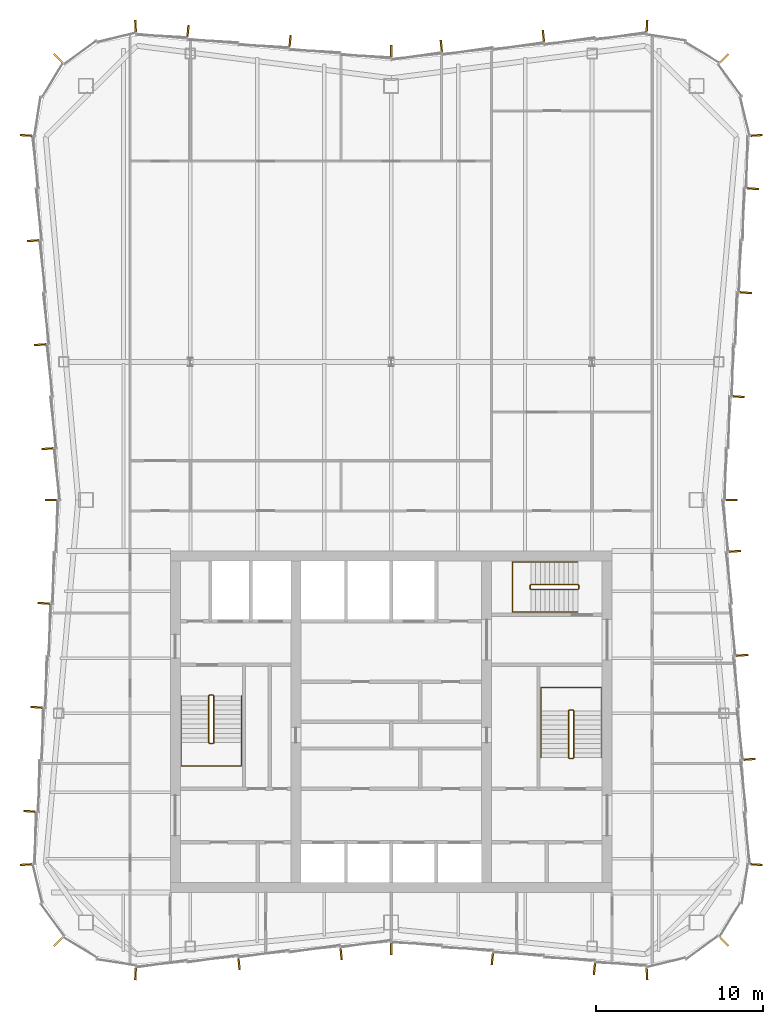
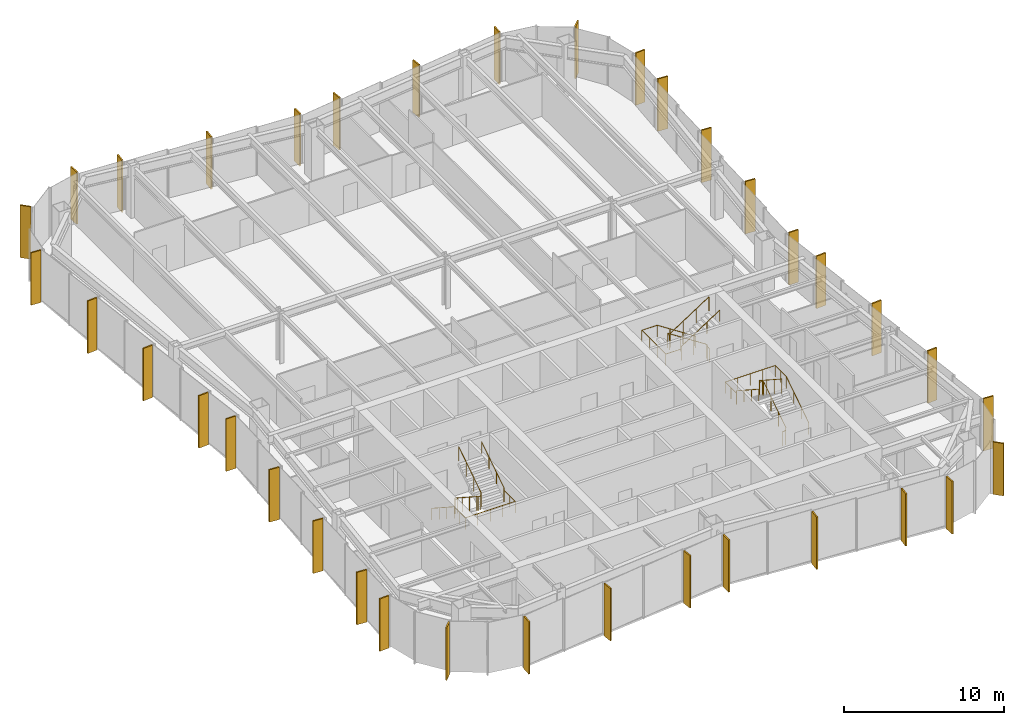
# One storey, part 13 of 13: 36 shading devices, 6 railings.
"""IFC4 building model written with IfcOpenShell, lengths in metres."""

from ifc_helpers import new_model, si_unit, direction, frame, origin, origin_2d, place, context, subcontext, project, spatial, rectangle, circle, extrude, material, layer, layer_set, type_object, element, save


model = new_model("IFC4")

# Units and contexts
model_context = context("Model", 3, precision=1e-05, world=origin(), true_north=direction((0.0, 1.0)))
body_context = subcontext(model_context, "Body", "Model", "MODEL_VIEW")
ifc_project = project(units=[si_unit("LENGTHUNIT", "METRE"), si_unit("AREAUNIT", "SQUARE_METRE"), si_unit("VOLUMEUNIT", "CUBIC_METRE"), si_unit("PLANEANGLEUNIT", "RADIAN"), si_unit("MASSUNIT", "GRAM", prefix="KILO")], contexts=[model_context])

# Site, building, storey
site_placement = place(None, origin())
site = spatial("IfcSite", under=ifc_project, at=site_placement, CompositionType="ELEMENT")
building_placement = place(site_placement, origin())
building = spatial("IfcBuilding", under=site, at=building_placement, Name="Verdant Reach Tower", CompositionType="ELEMENT")
storey_placement = place(building_placement, frame((0.0, 0.0, 330.0)))
storey = spatial("IfcBuildingStorey", under=building, at=storey_placement, Name="L76", CompositionType="ELEMENT", Elevation=330.0)

# Railings
ifc_material_1 = material(Name="Stainless steel", Category="steel")
railing_type_1 = type_object("IfcRailingType", Name="CO-GUARD", PredefinedType="GUARDRAIL", material=ifc_material_1)
railing_1_placement = place(storey_placement, frame((-10.64990234375, 29.60009765625, 0.0)))
element("IfcRailing", 1, at=railing_1_placement, inside=storey, type_object=railing_type_1, Name="L76 ST-1 stair guard 1", PredefinedType="GUARDRAIL", context=body_context, shape_type="SweptSolid", body=[
    extrude(circle(Radius=0.02392578125, at=origin_2d()), frame((0.0, 0.0, 1.076171875), z_axis=(-1.0, 0.0, 0.0), x_axis=(0.0, -1.0, 0.0)), (0.0, 0.0, 1.0), 0.2001953125),
    extrude(circle(Radius=0.02392578125, at=origin_2d()), frame((-0.2001953125, 0.0, 1.076171875), z_axis=(-0.25526617399, -0.256517478764, 0.932222056972), x_axis=(0.708833529934, -0.705375805398, 0.0)), (0.0, 0.0, 1.0), 0.195068359375),
    extrude(circle(Radius=0.02392578125, at=origin_2d()), frame((-0.25, -0.050048828125, 1.2578125), z_axis=(0.0, -0.838705829183, 0.544584733623), x_axis=(1.0, 0.0, 0.0)), (0.0, 0.0, 1.0), 3.338623046875),
    extrude(circle(Radius=0.02392578125, at=origin_2d()), frame((-0.25, -2.85009765625, 3.076171875), z_axis=(0.705375805398, -0.708833529934, 0.0), x_axis=(0.708833529934, 0.705375805398, 0.0)), (0.0, 0.0, 1.0), 0.070556640625),
    extrude(circle(Radius=0.02392578125, at=origin_2d()), frame((-0.2001953125, -2.900146484375, 3.076171875), z_axis=(1.0, 0.0, 0.0), x_axis=(0.0, 1.0, 0.0)), (0.0, 0.0, 1.0), 0.2001953125),
    extrude(circle(Radius=0.02392578125, at=origin_2d()), frame((0.0, -2.900146484375, 3.076171875), z_axis=(0.25526617399, 0.256517478764, 0.932222056972), x_axis=(-0.708833529934, 0.705375805398, 0.0)), (0.0, 0.0, 1.0), 0.195068359375),
    extrude(circle(Radius=0.02392578125, at=origin_2d()), frame((0.0498046875, -2.85009765625, 3.2578125), z_axis=(0.0, 0.838705829183, 0.544584733623), x_axis=(-1.0, 0.0, 0.0)), (0.0, 0.0, 1.0), 3.338623046875),
    extrude(circle(Radius=0.02099609375, at=origin_2d()), origin(), (0.0, 0.0, 1.0), 1.052001953125),
    extrude(circle(Radius=0.02099609375, at=origin_2d()), frame((-0.2001953125, 0.0, 0.0)), (0.0, 0.0, 1.0), 1.052001953125),
    extrude(circle(Radius=0.02099609375, at=origin_2d()), frame((-0.25, -0.050048828125, 0.181884765625)), (0.0, 0.0, 1.0), 1.052001953125),
    extrude(circle(Radius=0.02099609375, at=origin_2d()), frame((-0.25, -0.9833984375, 0.787841796875)), (0.0, 0.0, 1.0), 1.052001953125),
    extrude(circle(Radius=0.02099609375, at=origin_2d()), frame((-0.25, -1.916748046875, 1.39404296875)), (0.0, 0.0, 1.0), 1.052001953125),
    extrude(circle(Radius=0.02099609375, at=origin_2d()), frame((-0.25, -2.85009765625, 2.0)), (0.0, 0.0, 1.0), 1.052001953125),
    extrude(circle(Radius=0.02099609375, at=origin_2d()), frame((-0.2001953125, -2.900146484375, 2.0)), (0.0, 0.0, 1.0), 1.052001953125),
    extrude(circle(Radius=0.02099609375, at=origin_2d()), frame((0.0, -2.900146484375, 2.0)), (0.0, 0.0, 1.0), 1.052001953125),
    extrude(circle(Radius=0.02099609375, at=origin_2d()), frame((0.0498046875, -2.85009765625, 2.181884765625)), (0.0, 0.0, 1.0), 1.052001953125),
    extrude(circle(Radius=0.02099609375, at=origin_2d()), frame((0.0498046875, -1.916748046875, 2.787841796875)), (0.0, 0.0, 1.0), 1.052001953125),
    extrude(circle(Radius=0.02099609375, at=origin_2d()), frame((0.0498046875, -0.9833984375, 3.39404296875)), (0.0, 0.0, 1.0), 1.052001953125),
    extrude(circle(Radius=0.02099609375, at=origin_2d()), frame((0.0498046875, -0.050048828125, 4.0)), (0.0, 0.0, 1.0), 1.052001953125),
])
railing_2_placement = place(storey_placement, frame((10.64990234375, 25.800048828125, 0.0)))
element("IfcRailing", 2, at=railing_2_placement, inside=storey, type_object=railing_type_1, Name="L76 ST-2 stair guard 1", PredefinedType="GUARDRAIL", context=body_context, shape_type="SweptSolid", body=[
    extrude(circle(Radius=0.02392578125, at=origin_2d()), frame((0.0, 0.0, 1.076171875), z_axis=(1.0, 0.0, 0.0), x_axis=(0.0, 1.0, 0.0)), (0.0, 0.0, 1.0), 0.2001953125),
    extrude(circle(Radius=0.02392578125, at=origin_2d()), frame((0.2001953125, 0.0, 1.076171875), z_axis=(0.25526617399, 0.256517478764, 0.932222056972), x_axis=(-0.708833529934, 0.705375805398, 0.0)), (0.0, 0.0, 1.0), 0.195068359375),
    extrude(circle(Radius=0.02392578125, at=origin_2d()), frame((0.25, 0.050048828125, 1.2578125), z_axis=(0.0, 0.83868413941, 0.544618136222), x_axis=(-1.0, 0.0, 0.0)), (0.0, 0.0, 1.0), 3.33837890625),
    extrude(circle(Radius=0.02392578125, at=origin_2d()), frame((0.25, 2.849853515625, 3.076171875), z_axis=(-0.705375805398, 0.708833529934, 0.0), x_axis=(-0.708833529934, -0.705375805398, 0.0)), (0.0, 0.0, 1.0), 0.070556640625),
    extrude(circle(Radius=0.02392578125, at=origin_2d()), frame((0.2001953125, 2.89990234375, 3.076171875), z_axis=(-1.0, 0.0, 0.0), x_axis=(0.0, -1.0, 0.0)), (0.0, 0.0, 1.0), 0.2001953125),
    extrude(circle(Radius=0.02392578125, at=origin_2d()), frame((0.0, 2.89990234375, 3.076171875), z_axis=(-0.25526617399, -0.256517478764, 0.932222056972), x_axis=(0.708833529934, -0.705375805398, 0.0)), (0.0, 0.0, 1.0), 0.195068359375),
    extrude(circle(Radius=0.02392578125, at=origin_2d()), frame((-0.0498046875, 2.849853515625, 3.2578125), z_axis=(0.0, -0.83868413941, 0.544618136222), x_axis=(1.0, 0.0, 0.0)), (0.0, 0.0, 1.0), 3.33837890625),
    extrude(circle(Radius=0.02099609375, at=origin_2d()), origin(), (0.0, 0.0, 1.0), 1.052001953125),
    extrude(circle(Radius=0.02099609375, at=origin_2d()), frame((0.2001953125, 0.0, 0.0)), (0.0, 0.0, 1.0), 1.052001953125),
    extrude(circle(Radius=0.02099609375, at=origin_2d()), frame((0.25, 0.050048828125, 0.181884765625)), (0.0, 0.0, 1.0), 1.052001953125),
    extrude(circle(Radius=0.02099609375, at=origin_2d()), frame((0.25, 0.9833984375, 0.787841796875)), (0.0, 0.0, 1.0), 1.052001953125),
    extrude(circle(Radius=0.02099609375, at=origin_2d()), frame((0.25, 1.91650390625, 1.39404296875)), (0.0, 0.0, 1.0), 1.052001953125),
    extrude(circle(Radius=0.02099609375, at=origin_2d()), frame((0.25, 2.849853515625, 2.0)), (0.0, 0.0, 1.0), 1.052001953125),
    extrude(circle(Radius=0.02099609375, at=origin_2d()), frame((0.2001953125, 2.89990234375, 2.0)), (0.0, 0.0, 1.0), 1.052001953125),
    extrude(circle(Radius=0.02099609375, at=origin_2d()), frame((0.0, 2.89990234375, 2.0)), (0.0, 0.0, 1.0), 1.052001953125),
    extrude(circle(Radius=0.02099609375, at=origin_2d()), frame((-0.0498046875, 2.849853515625, 2.181884765625)), (0.0, 0.0, 1.0), 1.052001953125),
    extrude(circle(Radius=0.02099609375, at=origin_2d()), frame((-0.0498046875, 1.91650390625, 2.787841796875)), (0.0, 0.0, 1.0), 1.052001953125),
    extrude(circle(Radius=0.02099609375, at=origin_2d()), frame((-0.0498046875, 0.9833984375, 3.39404296875)), (0.0, 0.0, 1.0), 1.052001953125),
    extrude(circle(Radius=0.02099609375, at=origin_2d()), frame((-0.0498046875, 0.050048828125, 4.0)), (0.0, 0.0, 1.0), 1.052001953125),
])
railing_3_placement = place(storey_placement, frame((11.199951171875, 35.949951171875, 0.0)))
element("IfcRailing", 3, at=railing_3_placement, inside=storey, type_object=railing_type_1, Name="L76 ST-3 stair guard 1", PredefinedType="GUARDRAIL", context=body_context, shape_type="SweptSolid", body=[
    extrude(circle(Radius=0.02392578125, at=origin_2d()), frame((0.0, 0.0, 1.076171875), z_axis=(0.0, 1.0, 0.0), x_axis=(-1.0, 0.0, 0.0)), (0.0, 0.0, 1.0), 0.199951171875),
    extrude(circle(Radius=0.02392578125, at=origin_2d()), frame((0.0, 0.199951171875, 1.076171875), z_axis=(-0.256435381639, 0.256435381639, 0.931923704005), x_axis=(-0.707106781187, -0.707106781187, 0.0)), (0.0, 0.0, 1.0), 0.195068359375),
    extrude(circle(Radius=0.02392578125, at=origin_2d()), frame((-0.050048828125, 0.25, 1.2578125), z_axis=(-0.83868413941, 0.0, 0.544618136222), x_axis=(0.0, -1.0, 0.0)), (0.0, 0.0, 1.0), 3.33837890625),
    extrude(circle(Radius=0.02392578125, at=origin_2d()), frame((-2.849853515625, 0.25, 3.076171875), z_axis=(-0.707106781187, -0.707106781187, 0.0), x_axis=(0.707106781187, -0.707106781187, 0.0)), (0.0, 0.0, 1.0), 0.07080078125),
    extrude(circle(Radius=0.02392578125, at=origin_2d()), frame((-2.89990234375, 0.199951171875, 3.076171875), z_axis=(0.0, -1.0, 0.0), x_axis=(1.0, 0.0, 0.0)), (0.0, 0.0, 1.0), 0.199951171875),
    extrude(circle(Radius=0.02392578125, at=origin_2d()), frame((-2.89990234375, 0.0, 3.076171875), z_axis=(0.256435381639, -0.256435381639, 0.931923704005), x_axis=(0.707106781187, 0.707106781187, 0.0)), (0.0, 0.0, 1.0), 0.195068359375),
    extrude(circle(Radius=0.02392578125, at=origin_2d()), frame((-2.849853515625, -0.050048828125, 3.2578125), z_axis=(0.83868413941, 0.0, 0.544618136222), x_axis=(0.0, 1.0, 0.0)), (0.0, 0.0, 1.0), 3.33837890625),
    extrude(circle(Radius=0.02099609375, at=origin_2d()), origin(), (0.0, 0.0, 1.0), 1.052001953125),
    extrude(circle(Radius=0.02099609375, at=origin_2d()), frame((0.0, 0.199951171875, 0.0)), (0.0, 0.0, 1.0), 1.052001953125),
    extrude(circle(Radius=0.02099609375, at=origin_2d()), frame((-0.050048828125, 0.25, 0.181884765625)), (0.0, 0.0, 1.0), 1.052001953125),
    extrude(circle(Radius=0.02099609375, at=origin_2d()), frame((-0.9833984375, 0.25, 0.787841796875)), (0.0, 0.0, 1.0), 1.052001953125),
    extrude(circle(Radius=0.02099609375, at=origin_2d()), frame((-1.91650390625, 0.25, 1.39404296875)), (0.0, 0.0, 1.0), 1.052001953125),
    extrude(circle(Radius=0.02099609375, at=origin_2d()), frame((-2.849853515625, 0.25, 2.0)), (0.0, 0.0, 1.0), 1.052001953125),
    extrude(circle(Radius=0.02099609375, at=origin_2d()), frame((-2.89990234375, 0.199951171875, 2.0)), (0.0, 0.0, 1.0), 1.052001953125),
    extrude(circle(Radius=0.02099609375, at=origin_2d()), frame((-2.89990234375, 0.0, 2.0)), (0.0, 0.0, 1.0), 1.052001953125),
    extrude(circle(Radius=0.02099609375, at=origin_2d()), frame((-2.849853515625, -0.050048828125, 2.181884765625)), (0.0, 0.0, 1.0), 1.052001953125),
    extrude(circle(Radius=0.02099609375, at=origin_2d()), frame((-1.91650390625, -0.050048828125, 2.787841796875)), (0.0, 0.0, 1.0), 1.052001953125),
    extrude(circle(Radius=0.02099609375, at=origin_2d()), frame((-0.9833984375, -0.050048828125, 3.39404296875)), (0.0, 0.0, 1.0), 1.052001953125),
    extrude(circle(Radius=0.02099609375, at=origin_2d()), frame((-0.050048828125, -0.050048828125, 4.0)), (0.0, 0.0, 1.0), 1.052001953125),
])
railing_type_2 = type_object("IfcRailingType", Name="CO-HANDRAIL", PredefinedType="HANDRAIL", material=ifc_material_1)
railing_4_placement = place(storey_placement, frame((-12.550048828125, 29.550048828125, 0.181884765625)))
element("IfcRailing", 4, at=railing_4_placement, inside=storey, type_object=railing_type_2, Name="L76 ST-1 stair handrail 1", PredefinedType="HANDRAIL", context=body_context, shape_type="SweptSolid", body=[
    extrude(circle(Radius=0.02392578125, at=origin_2d()), frame((0.0, 0.0, 0.8759765625), z_axis=(0.0, -0.838705829183, 0.544584733623), x_axis=(1.0, 0.0, 0.0)), (0.0, 0.0, 1.0), 3.338623046875),
    extrude(circle(Radius=0.02392578125, at=origin_2d()), frame((0.0, -2.800048828125, 2.69384765625), z_axis=(0.0, -1.0, 0.0), x_axis=(1.0, 0.0, 0.0)), (0.0, 0.0, 1.0), 1.39990234375),
    extrude(circle(Radius=0.02392578125, at=origin_2d()), frame((0.0, -4.199951171875, 2.69384765625), z_axis=(1.0, 0.0, 0.0), x_axis=(0.0, 1.0, 0.0)), (0.0, 0.0, 1.0), 3.60009765625),
    extrude(circle(Radius=0.02392578125, at=origin_2d()), frame((3.60009765625, -4.199951171875, 2.69384765625), z_axis=(0.0, 1.0, 0.0), x_axis=(-1.0, 0.0, 0.0)), (0.0, 0.0, 1.0), 1.39990234375),
    extrude(circle(Radius=0.02392578125, at=origin_2d()), frame((3.60009765625, -2.800048828125, 2.69384765625), z_axis=(0.0, 0.0, 1.0), x_axis=(1.0, 0.0, 0.0)), (0.0, 0.0, 1.0), 0.181884765625),
    extrude(circle(Radius=0.02392578125, at=origin_2d()), frame((3.60009765625, -2.800048828125, 2.8759765625), z_axis=(0.0, 0.838705829183, 0.544584733623), x_axis=(-1.0, 0.0, 0.0)), (0.0, 0.0, 1.0), 3.338623046875),
    extrude(circle(Radius=0.02099609375, at=origin_2d()), origin(), (0.0, 0.0, 1.0), 0.851806640625),
    extrude(circle(Radius=0.02099609375, at=origin_2d()), frame((0.0, -0.933349609375, 0.60595703125)), (0.0, 0.0, 1.0), 0.851806640625),
    extrude(circle(Radius=0.02099609375, at=origin_2d()), frame((0.0, -1.86669921875, 1.212158203125)), (0.0, 0.0, 1.0), 0.851806640625),
    extrude(circle(Radius=0.02099609375, at=origin_2d()), frame((0.0, -2.800048828125, 1.818115234375)), (0.0, 0.0, 1.0), 0.851806640625),
    extrude(circle(Radius=0.02099609375, at=origin_2d()), frame((0.0, -3.5, 1.818115234375)), (0.0, 0.0, 1.0), 0.851806640625),
    extrude(circle(Radius=0.02099609375, at=origin_2d()), frame((0.0, -4.199951171875, 1.818115234375)), (0.0, 0.0, 1.0), 0.851806640625),
    extrude(circle(Radius=0.02099609375, at=origin_2d()), frame((0.89990234375, -4.199951171875, 1.818115234375)), (0.0, 0.0, 1.0), 0.851806640625),
    extrude(circle(Radius=0.02099609375, at=origin_2d()), frame((1.800048828125, -4.199951171875, 1.818115234375)), (0.0, 0.0, 1.0), 0.851806640625),
    extrude(circle(Radius=0.02099609375, at=origin_2d()), frame((2.7001953125, -4.199951171875, 1.818115234375)), (0.0, 0.0, 1.0), 0.851806640625),
    extrude(circle(Radius=0.02099609375, at=origin_2d()), frame((3.60009765625, -4.199951171875, 1.818115234375)), (0.0, 0.0, 1.0), 0.851806640625),
    extrude(circle(Radius=0.02099609375, at=origin_2d()), frame((3.60009765625, -3.5, 1.818115234375)), (0.0, 0.0, 1.0), 0.851806640625),
    extrude(circle(Radius=0.02099609375, at=origin_2d()), frame((3.60009765625, -2.800048828125, 1.818115234375)), (0.0, 0.0, 1.0), 0.851806640625),
    extrude(circle(Radius=0.02099609375, at=origin_2d()), frame((3.60009765625, -2.800048828125, 2.0)), (0.0, 0.0, 1.0), 0.851806640625),
    extrude(circle(Radius=0.02099609375, at=origin_2d()), frame((3.60009765625, -1.86669921875, 2.60595703125)), (0.0, 0.0, 1.0), 0.851806640625),
    extrude(circle(Radius=0.02099609375, at=origin_2d()), frame((3.60009765625, -0.933349609375, 3.212158203125)), (0.0, 0.0, 1.0), 0.851806640625),
    extrude(circle(Radius=0.02099609375, at=origin_2d()), frame((3.60009765625, 0.0, 3.818115234375)), (0.0, 0.0, 1.0), 0.851806640625),
])
railing_5_placement = place(storey_placement, frame((12.550048828125, 25.85009765625, 0.181884765625)))
element("IfcRailing", 5, at=railing_5_placement, inside=storey, type_object=railing_type_2, Name="L76 ST-2 stair handrail 1", PredefinedType="HANDRAIL", context=body_context, shape_type="SweptSolid", body=[
    extrude(circle(Radius=0.02392578125, at=origin_2d()), frame((0.0, 0.0, 0.8759765625), z_axis=(0.0, 0.83868413941, 0.544618136222), x_axis=(-1.0, 0.0, 0.0)), (0.0, 0.0, 1.0), 3.33837890625),
    extrude(circle(Radius=0.02392578125, at=origin_2d()), frame((0.0, 2.7998046875, 2.69384765625), z_axis=(0.0, 1.0, 0.0), x_axis=(-1.0, 0.0, 0.0)), (0.0, 0.0, 1.0), 1.400146484375),
    extrude(circle(Radius=0.02392578125, at=origin_2d()), frame((0.0, 4.199951171875, 2.69384765625), z_axis=(-1.0, 0.0, 0.0), x_axis=(0.0, -1.0, 0.0)), (0.0, 0.0, 1.0), 3.60009765625),
    extrude(circle(Radius=0.02392578125, at=origin_2d()), frame((-3.60009765625, 4.199951171875, 2.69384765625), z_axis=(0.0, -1.0, 0.0), x_axis=(1.0, 0.0, 0.0)), (0.0, 0.0, 1.0), 1.400146484375),
    extrude(circle(Radius=0.02392578125, at=origin_2d()), frame((-3.60009765625, 2.7998046875, 2.69384765625), z_axis=(0.0, 0.0, 1.0), x_axis=(1.0, 0.0, 0.0)), (0.0, 0.0, 1.0), 0.181884765625),
    extrude(circle(Radius=0.02392578125, at=origin_2d()), frame((-3.60009765625, 2.7998046875, 2.8759765625), z_axis=(0.0, -0.83868413941, 0.544618136222), x_axis=(1.0, 0.0, 0.0)), (0.0, 0.0, 1.0), 3.33837890625),
    extrude(circle(Radius=0.02099609375, at=origin_2d()), origin(), (0.0, 0.0, 1.0), 0.851806640625),
    extrude(circle(Radius=0.02099609375, at=origin_2d()), frame((0.0, 0.933349609375, 0.60595703125)), (0.0, 0.0, 1.0), 0.851806640625),
    extrude(circle(Radius=0.02099609375, at=origin_2d()), frame((0.0, 1.866455078125, 1.212158203125)), (0.0, 0.0, 1.0), 0.851806640625),
    extrude(circle(Radius=0.02099609375, at=origin_2d()), frame((0.0, 2.7998046875, 1.818115234375)), (0.0, 0.0, 1.0), 0.851806640625),
    extrude(circle(Radius=0.02099609375, at=origin_2d()), frame((0.0, 3.5, 1.818115234375)), (0.0, 0.0, 1.0), 0.851806640625),
    extrude(circle(Radius=0.02099609375, at=origin_2d()), frame((0.0, 4.199951171875, 1.818115234375)), (0.0, 0.0, 1.0), 0.851806640625),
    extrude(circle(Radius=0.02099609375, at=origin_2d()), frame((-0.89990234375, 4.199951171875, 1.818115234375)), (0.0, 0.0, 1.0), 0.851806640625),
    extrude(circle(Radius=0.02099609375, at=origin_2d()), frame((-1.800048828125, 4.199951171875, 1.818115234375)), (0.0, 0.0, 1.0), 0.851806640625),
    extrude(circle(Radius=0.02099609375, at=origin_2d()), frame((-2.7001953125, 4.199951171875, 1.818115234375)), (0.0, 0.0, 1.0), 0.851806640625),
    extrude(circle(Radius=0.02099609375, at=origin_2d()), frame((-3.60009765625, 4.199951171875, 1.818115234375)), (0.0, 0.0, 1.0), 0.851806640625),
    extrude(circle(Radius=0.02099609375, at=origin_2d()), frame((-3.60009765625, 3.5, 1.818115234375)), (0.0, 0.0, 1.0), 0.851806640625),
    extrude(circle(Radius=0.02099609375, at=origin_2d()), frame((-3.60009765625, 2.7998046875, 1.818115234375)), (0.0, 0.0, 1.0), 0.851806640625),
    extrude(circle(Radius=0.02099609375, at=origin_2d()), frame((-3.60009765625, 2.7998046875, 2.0)), (0.0, 0.0, 1.0), 0.851806640625),
    extrude(circle(Radius=0.02099609375, at=origin_2d()), frame((-3.60009765625, 1.866455078125, 2.60595703125)), (0.0, 0.0, 1.0), 0.851806640625),
    extrude(circle(Radius=0.02099609375, at=origin_2d()), frame((-3.60009765625, 0.933349609375, 3.212158203125)), (0.0, 0.0, 1.0), 0.851806640625),
    extrude(circle(Radius=0.02099609375, at=origin_2d()), frame((-3.60009765625, 0.0, 3.818115234375)), (0.0, 0.0, 1.0), 0.851806640625),
])
railing_6_placement = place(storey_placement, frame((11.14990234375, 37.550048828125, 0.181884765625)))
element("IfcRailing", 6, at=railing_6_placement, inside=storey, type_object=railing_type_2, Name="L76 ST-3 stair handrail 1", PredefinedType="HANDRAIL", context=body_context, shape_type="SweptSolid", body=[
    extrude(circle(Radius=0.02392578125, at=origin_2d()), frame((0.0, 0.0, 0.8759765625), z_axis=(-0.83868413941, 0.0, 0.544618136222), x_axis=(0.0, -1.0, 0.0)), (0.0, 0.0, 1.0), 3.33837890625),
    extrude(circle(Radius=0.02392578125, at=origin_2d()), frame((-2.7998046875, 0.0, 2.69384765625), z_axis=(-1.0, 0.0, 0.0), x_axis=(0.0, -1.0, 0.0)), (0.0, 0.0, 1.0), 1.10009765625),
    extrude(circle(Radius=0.02392578125, at=origin_2d()), frame((-3.89990234375, 0.0, 2.69384765625), z_axis=(0.0, -1.0, 0.0), x_axis=(1.0, 0.0, 0.0)), (0.0, 0.0, 1.0), 3.0),
    extrude(circle(Radius=0.02392578125, at=origin_2d()), frame((-3.89990234375, -3.0, 2.69384765625), z_axis=(1.0, 0.0, 0.0), x_axis=(0.0, 1.0, 0.0)), (0.0, 0.0, 1.0), 1.10009765625),
    extrude(circle(Radius=0.02392578125, at=origin_2d()), frame((-2.7998046875, -3.0, 2.69384765625), z_axis=(0.0, 0.0, 1.0), x_axis=(1.0, 0.0, 0.0)), (0.0, 0.0, 1.0), 0.181884765625),
    extrude(circle(Radius=0.02392578125, at=origin_2d()), frame((-2.7998046875, -3.0, 2.8759765625), z_axis=(0.83868413941, 0.0, 0.544618136222), x_axis=(0.0, 1.0, 0.0)), (0.0, 0.0, 1.0), 3.33837890625),
    extrude(circle(Radius=0.02099609375, at=origin_2d()), origin(), (0.0, 0.0, 1.0), 0.851806640625),
    extrude(circle(Radius=0.02099609375, at=origin_2d()), frame((-0.933349609375, 0.0, 0.60595703125)), (0.0, 0.0, 1.0), 0.851806640625),
    extrude(circle(Radius=0.02099609375, at=origin_2d()), frame((-1.866455078125, 0.0, 1.212158203125)), (0.0, 0.0, 1.0), 0.851806640625),
    extrude(circle(Radius=0.02099609375, at=origin_2d()), frame((-2.7998046875, 0.0, 1.818115234375)), (0.0, 0.0, 1.0), 0.851806640625),
    extrude(circle(Radius=0.02099609375, at=origin_2d()), frame((-3.89990234375, 0.0, 1.818115234375)), (0.0, 0.0, 1.0), 0.851806640625),
    extrude(circle(Radius=0.02099609375, at=origin_2d()), frame((-3.89990234375, -1.0, 1.818115234375)), (0.0, 0.0, 1.0), 0.851806640625),
    extrude(circle(Radius=0.02099609375, at=origin_2d()), frame((-3.89990234375, -2.0, 1.818115234375)), (0.0, 0.0, 1.0), 0.851806640625),
    extrude(circle(Radius=0.02099609375, at=origin_2d()), frame((-3.89990234375, -3.0, 1.818115234375)), (0.0, 0.0, 1.0), 0.851806640625),
    extrude(circle(Radius=0.02099609375, at=origin_2d()), frame((-2.7998046875, -3.0, 1.818115234375)), (0.0, 0.0, 1.0), 0.851806640625),
    extrude(circle(Radius=0.02099609375, at=origin_2d()), frame((-2.7998046875, -3.0, 2.0)), (0.0, 0.0, 1.0), 0.851806640625),
    extrude(circle(Radius=0.02099609375, at=origin_2d()), frame((-1.866455078125, -3.0, 2.60595703125)), (0.0, 0.0, 1.0), 0.851806640625),
    extrude(circle(Radius=0.02099609375, at=origin_2d()), frame((-0.933349609375, -3.0, 3.212158203125)), (0.0, 0.0, 1.0), 0.851806640625),
    extrude(circle(Radius=0.02099609375, at=origin_2d()), frame((0.0, -3.0, 3.818115234375)), (0.0, 0.0, 1.0), 0.851806640625),
])

# Shading devices
ifc_material_2 = material(Name="Bronze fin, champagne", Category="aluminium")
ifc_layer_1 = layer(ifc_material_2, 0.10009765625)
ifc_layer_set_1 = layer_set([ifc_layer_1], Name="EN-FIN CHAMPAGNE")
shading_device_type_1 = type_object("IfcShadingDeviceType", Name="EN-FIN CHAMPAGNE", PredefinedType="USERDEFINED", material=ifc_layer_set_1)
for number, where, z_axis, x_axis, name in (
    (7, (15.278564453125, 12.920654296875, -0.35009765625), (0.0, 0.0, 1.0), (0.998792510626, 0.049127596288, 0.0), "Fin south-east corner 1, L76"),
    (8, (20.54296875, 38.182861328125, -0.35009765625), (0.0, 0.0, 1.0), (-0.068802091615, 0.997630328423, 0.0), "Fin east face part 1 7, L76"),
    (9, (20.330078125, 41.25, -0.35009765625), (0.0, 0.0, 1.0), (0.0, 1.0, 0.0), "Fin east face part 2 1, L76"),
    (10, (21.6142578125, 59.85302734375, -0.35009765625), (0.0, 0.0, 1.0), (0.068802091615, 0.997630328423, 0.0), "Fin east face part 2 7, L76"),
    (11, (2.9931640625, 68.377197265625, -0.35009765625), (0.0, 0.0, 1.0), (-0.995197410875, -0.09788826992, 0.0), "Fin north face part 1 5, L76"),
    (12, (-12.143310546875, 69.277099609375, -0.35009765625), (0.0, 0.0, 1.0), (-0.995197410875, 0.09788826992, 0.0), "Fin north face part 2 5, L76"),
    (13, (-21.400146484375, 56.745849609375, -0.35009765625), (0.0, 0.0, 1.0), (0.068802091615, -0.997630328423, 0.0), "Fin west face part 1 3, L76"),
    (14, (-21.185791015625, 28.861328125, -0.35009765625), (0.0, 0.0, 1.0), (-0.068802091615, -0.997630328423, 0.0), "Fin west face part 2 5, L76"),
    (15, (-19.90283203125, 14.84716796875, -0.35009765625), (0.0, 0.0, 1.0), (0.707106781187, -0.707106781187, 0.0), "Fin south-west corner 3, L76"),
    (16, (-15.278564453125, 12.920654296875, -0.35009765625), (0.0, 0.0, 1.0), (0.998792510626, -0.049127596288, 0.0), "Fin south face part 1 1, L76"),
    (17, (0.0, 14.419921875, -0.35009765625), (0.0, 0.0, 1.0), (1.0, 0.0, 0.0), "Fin south face part 2 1, L76"),
    (18, (6.043212890625, 13.82275390625, -0.35009765625), (0.0, 0.0, 1.0), (0.995197410875, -0.09788826992, 0.0), "Fin south face part 2 3, L76"),
):
    element("IfcShadingDevice", number, at=place(storey_placement, frame(where, z_axis=z_axis, x_axis=x_axis)), inside=storey, type_object=shading_device_type_1, Name=name, ObjectType="FIN", PredefinedType="USERDEFINED", context=body_context, shape_type="SweptSolid", body=[
        extrude(rectangle(XDim=0.10009765625, YDim=0.699951171875, at=origin_2d()), origin(), (0.0, 0.0, 1.0), 4.0),
    ])
ifc_material_3 = material(Name="Bronze fin, copper", Category="aluminium")
ifc_layer_2 = layer(ifc_material_3, 0.10009765625)
ifc_layer_set_2 = layer_set([ifc_layer_2], Name="EN-FIN COPPER")
shading_device_type_2 = type_object("IfcShadingDeviceType", Name="EN-FIN COPPER", PredefinedType="USERDEFINED", material=ifc_layer_set_2)
for number, where, z_axis, x_axis, name in (
    (19, (19.90283203125, 14.84716796875, -0.35009765625), (0.0, 0.0, 1.0), (0.707106781187, 0.707106781187, 0.0), "Fin south-east corner 3, L76"),
    (20, (21.828857421875, 19.463134765625, -0.35009765625), (0.0, 0.0, 1.0), (0.063698618332, 0.997969180898, 0.0), "Fin east face part 1 1, L76"),
    (21, (20.757080078125, 47.42431640625, -0.35009765625), (0.0, 0.0, 1.0), (0.068802091615, 0.997630328423, 0.0), "Fin east face part 2 3, L76"),
    (22, (21.828857421875, 63.036865234375, -0.35009765625), (0.0, 0.0, 1.0), (-0.063698618332, 0.997969180898, 0.0), "Fin north-east corner 1, L76"),
    (23, (0.0, 68.080078125, -0.35009765625), (0.0, 0.0, 1.0), (-1.0, 0.0, 0.0), "Fin north face part 2 1, L76"),
    (24, (-20.971435546875, 50.531494140625, -0.35009765625), (0.0, 0.0, 1.0), (0.068802091615, -0.997630328423, 0.0), "Fin west face part 1 5, L76"),
    (25, (-21.6142578125, 22.64697265625, -0.35009765625), (0.0, 0.0, 1.0), (-0.068802091615, -0.997630328423, 0.0), "Fin west face part 2 7, L76"),
    (26, (-9.09326171875, 13.522705078125, -0.35009765625), (0.0, 0.0, 1.0), (0.995197410875, 0.09788826992, 0.0), "Fin south face part 1 3, L76"),
    (27, (12.143310546875, 13.222900390625, -0.35009765625), (0.0, 0.0, 1.0), (0.995197410875, -0.09788826992, 0.0), "Fin south face part 2 5, L76"),
):
    element("IfcShadingDevice", number, at=place(storey_placement, frame(where, z_axis=z_axis, x_axis=x_axis)), inside=storey, type_object=shading_device_type_2, Name=name, ObjectType="FIN", PredefinedType="USERDEFINED", context=body_context, shape_type="SweptSolid", body=[
        extrude(rectangle(XDim=0.10009765625, YDim=0.699951171875, at=origin_2d()), origin(), (0.0, 0.0, 1.0), 4.0),
    ])
ifc_material_4 = material(Name="Bronze fin, dark bronze", Category="aluminium")
ifc_layer_3 = layer(ifc_material_4, 0.10009765625)
ifc_layer_set_3 = layer_set([ifc_layer_3], Name="EN-FIN DARK")
shading_device_type_3 = type_object("IfcShadingDeviceType", Name="EN-FIN DARK", PredefinedType="USERDEFINED", material=ifc_layer_set_3)
for number, where, z_axis, x_axis, name in (
    (28, (21.400146484375, 25.754150390625, -0.35009765625), (0.0, 0.0, 1.0), (-0.068802091615, 0.997630328423, 0.0), "Fin east face part 1 3, L76"),
    (29, (20.971435546875, 31.968505859375, -0.35009765625), (0.0, 0.0, 1.0), (-0.068802091615, 0.997630328423, 0.0), "Fin east face part 1 5, L76"),
    (30, (21.185791015625, 53.638671875, -0.35009765625), (0.0, 0.0, 1.0), (0.068802091615, 0.997630328423, 0.0), "Fin east face part 2 5, L76"),
    (31, (19.90283203125, 67.65283203125, -0.35009765625), (0.0, 0.0, 1.0), (-0.707106781187, 0.707106781187, 0.0), "Fin north-east corner 3, L76"),
    (32, (15.278564453125, 69.579345703125, -0.35009765625), (0.0, 0.0, 1.0), (-0.998792510626, 0.049127596288, 0.0), "Fin north face part 1 1, L76"),
    (33, (9.09326171875, 68.977294921875, -0.35009765625), (0.0, 0.0, 1.0), (-0.995197410875, -0.09788826992, 0.0), "Fin north face part 1 3, L76"),
    (34, (-6.043212890625, 68.67724609375, -0.35009765625), (0.0, 0.0, 1.0), (-0.995197410875, 0.09788826992, 0.0), "Fin north face part 2 3, L76"),
    (35, (-15.278564453125, 69.579345703125, -0.35009765625), (0.0, 0.0, 1.0), (-0.998792510626, -0.049127596288, 0.0), "Fin north-west corner 1, L76"),
    (36, (-19.90283203125, 67.65283203125, -0.35009765625), (0.0, 0.0, 1.0), (-0.707106781187, -0.707106781187, 0.0), "Fin north-west corner 3, L76"),
    (37, (-21.828857421875, 63.036865234375, -0.35009765625), (0.0, 0.0, 1.0), (-0.063698618332, -0.997969180898, 0.0), "Fin west face part 1 1, L76"),
    (38, (-20.54296875, 44.317138671875, -0.35009765625), (0.0, 0.0, 1.0), (0.068802091615, -0.997630328423, 0.0), "Fin west face part 1 7, L76"),
    (39, (-20.330078125, 41.25, -0.35009765625), (0.0, 0.0, 1.0), (0.0, -1.0, 0.0), "Fin west face part 2 1, L76"),
    (40, (-20.757080078125, 35.07568359375, -0.35009765625), (0.0, 0.0, 1.0), (-0.068802091615, -0.997630328423, 0.0), "Fin west face part 2 3, L76"),
    (41, (-21.828857421875, 19.463134765625, -0.35009765625), (0.0, 0.0, 1.0), (0.063698618332, -0.997969180898, 0.0), "Fin south-west corner 1, L76"),
    (42, (-2.9931640625, 14.122802734375, -0.35009765625), (0.0, 0.0, 1.0), (0.995197410875, 0.09788826992, 0.0), "Fin south face part 1 5, L76"),
):
    element("IfcShadingDevice", number, at=place(storey_placement, frame(where, z_axis=z_axis, x_axis=x_axis)), inside=storey, type_object=shading_device_type_3, Name=name, ObjectType="FIN", PredefinedType="USERDEFINED", context=body_context, shape_type="SweptSolid", body=[
        extrude(rectangle(XDim=0.10009765625, YDim=0.699951171875, at=origin_2d()), origin(), (0.0, 0.0, 1.0), 4.0),
    ])

save(model, "model.ifc")
